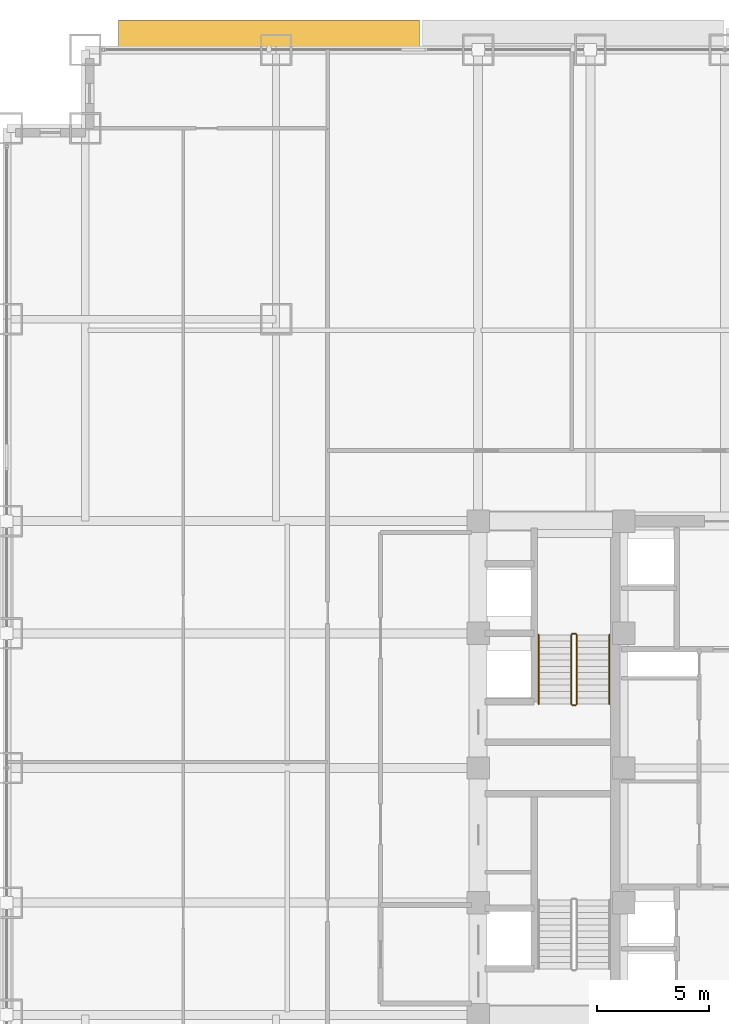
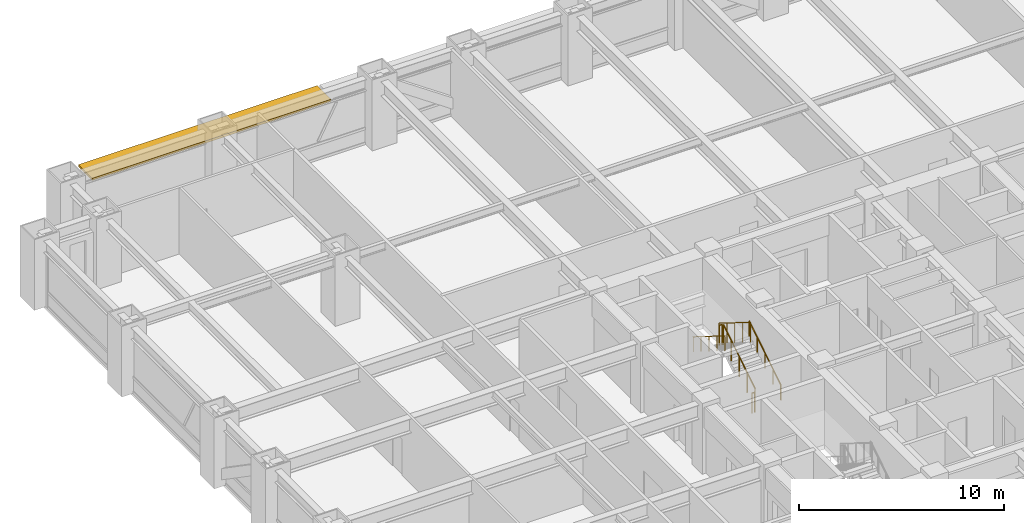
# One storey, part 31 of 32: 6 railings, 1 shading device.
"""IFC4 building model written with IfcOpenShell, lengths in metres."""

from ifc_helpers import new_model, si_unit, direction, frame, origin, origin_2d, place, context, subcontext, project, spatial, rectangle, circle, extrude, source, transform, mapped, material, layer, layer_set, type_object, element, save


model = new_model("IFC4")

# Units and contexts
model_context = context("Model", 3, precision=1e-05, world=origin(), true_north=direction((0.0, 1.0)))
body_context = subcontext(model_context, "Body", "Model", "MODEL_VIEW")
ifc_project = project(units=[si_unit("LENGTHUNIT", "METRE"), si_unit("AREAUNIT", "SQUARE_METRE"), si_unit("VOLUMEUNIT", "CUBIC_METRE"), si_unit("PLANEANGLEUNIT", "RADIAN"), si_unit("MASSUNIT", "GRAM", prefix="KILO")], contexts=[model_context])

# Site, building, storey
site_placement = place(None, origin())
site = spatial("IfcSite", under=ifc_project, at=site_placement, CompositionType="ELEMENT")
building_placement = place(site_placement, origin())
building = spatial("IfcBuilding", under=site, at=building_placement, Name="Khorayat Bourse Tower", CompositionType="ELEMENT")
storey_placement = place(building_placement, frame((0.0, 0.0, 70.39990234375)))
storey = spatial("IfcBuildingStorey", under=building, at=storey_placement, Name="L15", CompositionType="ELEMENT", Elevation=70.39990234375)

# Shading device
ifc_material_1 = material(Name="Precast concrete C45/55", Category="concrete")
ifc_layer = layer(ifc_material_1, 0.139892578125)
ifc_layer_set = layer_set([ifc_layer], Name="Precast concrete C45/55")
shading_device_type = type_object("IfcShadingDeviceType", Name="SHD-WAVE-TRAY-B", PredefinedType="USERDEFINED", material=ifc_layer_set)
shared_shape_1 = source(origin(), body_context, "Body", "SweptSolid", [
    extrude(rectangle(XDim=13.409912109375, YDim=1.350341796875, at=origin_2d()), origin(), (0.0, 0.0, 1.0), 0.139892578125),
])
shading_device_placement = place(storey_placement, frame((-20.324951171875, 32.655029296875, 3.18994140625), z_axis=(0.0, 0.0, 1.0), x_axis=(1.0, 0.0, 0.0)))
element("IfcShadingDevice", 1, at=shading_device_placement, inside=storey, type_object=shading_device_type, Name="L15 Sinusoidal Wave Sunshade Tray N-1", ObjectType="SUNSHADE", PredefinedType="USERDEFINED", context=body_context, shape_type="MappedRepresentation", body=[
    mapped(shared_shape_1, transform((0.0, 0.0, 0.0), scale=1.0)),
])

# Railings
ifc_material_2 = material(Name="Powder-coated steel balustrade", Category="steel")
railing_type_1 = type_object("IfcRailingType", Name="RLG-GUARD-1200", PredefinedType="GUARDRAIL", material=ifc_material_2)
shared_shape_2 = source(origin(), body_context, "Body", "SweptSolid", [
    extrude(circle(Radius=0.02392578125, at=origin_2d()), frame((0.0, 0.0, 1.17578125), z_axis=(-1.0, 0.0, 0.0), x_axis=(0.0, -1.0, 0.0)), (0.0, 0.0, 1.0), 0.150146484375),
    extrude(circle(Radius=0.02099609375, at=origin_2d()), origin(), (0.0, 0.0, 1.0), 1.15185546875),
    extrude(circle(Radius=0.02099609375, at=origin_2d()), frame((-0.150146484375, 0.0, 0.0)), (0.0, 0.0, 1.0), 1.15185546875),
])
for number, where, name in (
    (2, (-6.64990234375, 5.97998046875, 2.10009765625), "L15 ST-2 stair guard 2"),
    (3, (-6.64990234375, 2.800048828125, 0.0), "L15 ST-2 stair guard 4"),
):
    element("IfcRailing", number, at=place(storey_placement, frame(where)), inside=storey, type_object=railing_type_1, Name=name, PredefinedType="GUARDRAIL", context=body_context, shape_type="MappedRepresentation", body=[
        mapped(shared_shape_2, transform((0.0, 0.0, 0.0), scale=1.0)),
    ])
shared_shape_3 = source(origin(), body_context, "Body", "SweptSolid", [
    extrude(circle(Radius=0.02392578125, at=origin_2d()), frame((0.0, 0.0, 1.17578125), z_axis=(0.0, 0.847979421464, 0.530029150871), x_axis=(-1.0, 0.0, 0.0)), (0.0, 0.0, 1.0), 3.632080078125),
    extrude(circle(Radius=0.02099609375, at=origin_2d()), origin(), (0.0, 0.0, 1.0), 1.15185546875),
    extrude(circle(Radius=0.02099609375, at=origin_2d()), frame((0.0, 0.77001953125, 0.481201171875)), (0.0, 0.0, 1.0), 1.15185546875),
    extrude(circle(Radius=0.02099609375, at=origin_2d()), frame((0.0, 1.5400390625, 0.96240234375)), (0.0, 0.0, 1.0), 1.15185546875),
    extrude(circle(Radius=0.02099609375, at=origin_2d()), frame((0.0, 2.309814453125, 1.44384765625)), (0.0, 0.0, 1.0), 1.15185546875),
    extrude(circle(Radius=0.02099609375, at=origin_2d()), frame((0.0, 3.079833984375, 1.925048828125)), (0.0, 0.0, 1.0), 1.15185546875),
])
railing_1_placement = place(storey_placement, frame((-6.60009765625, 2.85009765625, 0.175048828125)))
element("IfcRailing", 4, at=railing_1_placement, inside=storey, type_object=railing_type_1, Name="L15 ST-2 stair guard 1", PredefinedType="GUARDRAIL", context=body_context, shape_type="MappedRepresentation", body=[
    mapped(shared_shape_3, transform((0.0, 0.0, 0.0), scale=1.0)),
])
shared_shape_4 = source(origin(), body_context, "Body", "SweptSolid", [
    extrude(circle(Radius=0.02392578125, at=origin_2d()), frame((0.0, 0.0, 1.17578125), z_axis=(0.0, -0.847979421464, 0.530029150871), x_axis=(1.0, 0.0, 0.0)), (0.0, 0.0, 1.0), 3.632080078125),
    extrude(circle(Radius=0.02099609375, at=origin_2d()), origin(), (0.0, 0.0, 1.0), 1.15185546875),
    extrude(circle(Radius=0.02099609375, at=origin_2d()), frame((0.0, -0.77001953125, 0.481201171875)), (0.0, 0.0, 1.0), 1.15185546875),
    extrude(circle(Radius=0.02099609375, at=origin_2d()), frame((0.0, -1.5400390625, 0.96240234375)), (0.0, 0.0, 1.0), 1.15185546875),
    extrude(circle(Radius=0.02099609375, at=origin_2d()), frame((0.0, -2.309814453125, 1.44384765625)), (0.0, 0.0, 1.0), 1.15185546875),
    extrude(circle(Radius=0.02099609375, at=origin_2d()), frame((0.0, -3.079833984375, 1.925048828125)), (0.0, 0.0, 1.0), 1.15185546875),
])
railing_2_placement = place(storey_placement, frame((-6.85009765625, 5.929931640625, 2.275146484375)))
element("IfcRailing", 5, at=railing_2_placement, inside=storey, type_object=railing_type_1, Name="L15 ST-2 stair guard 3", PredefinedType="GUARDRAIL", context=body_context, shape_type="MappedRepresentation", body=[
    mapped(shared_shape_4, transform((0.0, 0.0, 0.0), scale=1.0)),
])
ifc_material_3 = material(Name="Brushed bronze stainless-steel handrail", Category="steel")
railing_type_2 = type_object("IfcRailingType", Name="RLG-HAND-900", PredefinedType="HANDRAIL", material=ifc_material_3)
shared_shape_5 = source(origin(), body_context, "Body", "SweptSolid", [
    extrude(circle(Radius=0.02392578125, at=origin_2d()), frame((0.0, 0.0, 0.8759765625), z_axis=(0.0, 0.847979421464, 0.530029150871), x_axis=(-1.0, 0.0, 0.0)), (0.0, 0.0, 1.0), 3.632080078125),
    extrude(circle(Radius=0.02099609375, at=origin_2d()), origin(), (0.0, 0.0, 1.0), 0.851806640625),
    extrude(circle(Radius=0.02099609375, at=origin_2d()), frame((0.0, 0.77001953125, 0.481201171875)), (0.0, 0.0, 1.0), 0.851806640625),
    extrude(circle(Radius=0.02099609375, at=origin_2d()), frame((0.0, 1.5400390625, 0.96240234375)), (0.0, 0.0, 1.0), 0.851806640625),
    extrude(circle(Radius=0.02099609375, at=origin_2d()), frame((0.0, 2.309814453125, 1.44384765625)), (0.0, 0.0, 1.0), 0.851806640625),
    extrude(circle(Radius=0.02099609375, at=origin_2d()), frame((0.0, 3.079833984375, 1.925048828125)), (0.0, 0.0, 1.0), 0.851806640625),
])
railing_3_placement = place(storey_placement, frame((-5.14990234375, 2.85009765625, 0.175048828125)))
element("IfcRailing", 6, at=railing_3_placement, inside=storey, type_object=railing_type_2, Name="L15 ST-2 stair handrail 1", PredefinedType="HANDRAIL", context=body_context, shape_type="MappedRepresentation", body=[
    mapped(shared_shape_5, transform((0.0, 0.0, 0.0), scale=1.0)),
])
shared_shape_6 = source(origin(), body_context, "Body", "SweptSolid", [
    extrude(circle(Radius=0.02392578125, at=origin_2d()), frame((0.0, 0.0, 0.8759765625), z_axis=(0.0, -0.847979421464, 0.530029150871), x_axis=(1.0, 0.0, 0.0)), (0.0, 0.0, 1.0), 3.632080078125),
    extrude(circle(Radius=0.02099609375, at=origin_2d()), origin(), (0.0, 0.0, 1.0), 0.851806640625),
    extrude(circle(Radius=0.02099609375, at=origin_2d()), frame((0.0, -0.77001953125, 0.481201171875)), (0.0, 0.0, 1.0), 0.851806640625),
    extrude(circle(Radius=0.02099609375, at=origin_2d()), frame((0.0, -1.5400390625, 0.96240234375)), (0.0, 0.0, 1.0), 0.851806640625),
    extrude(circle(Radius=0.02099609375, at=origin_2d()), frame((0.0, -2.309814453125, 1.44384765625)), (0.0, 0.0, 1.0), 0.851806640625),
    extrude(circle(Radius=0.02099609375, at=origin_2d()), frame((0.0, -3.079833984375, 1.925048828125)), (0.0, 0.0, 1.0), 0.851806640625),
])
railing_4_placement = place(storey_placement, frame((-8.300048828125, 5.929931640625, 2.275146484375)))
element("IfcRailing", 7, at=railing_4_placement, inside=storey, type_object=railing_type_2, Name="L15 ST-2 stair handrail 2", PredefinedType="HANDRAIL", context=body_context, shape_type="MappedRepresentation", body=[
    mapped(shared_shape_6, transform((0.0, 0.0, 0.0), scale=1.0)),
])

save(model, "model.ifc")
